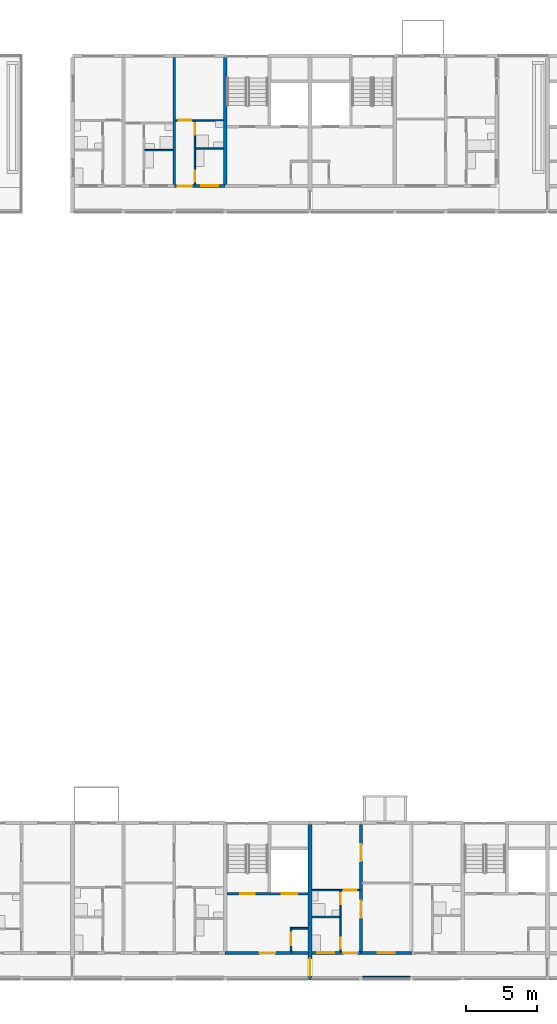
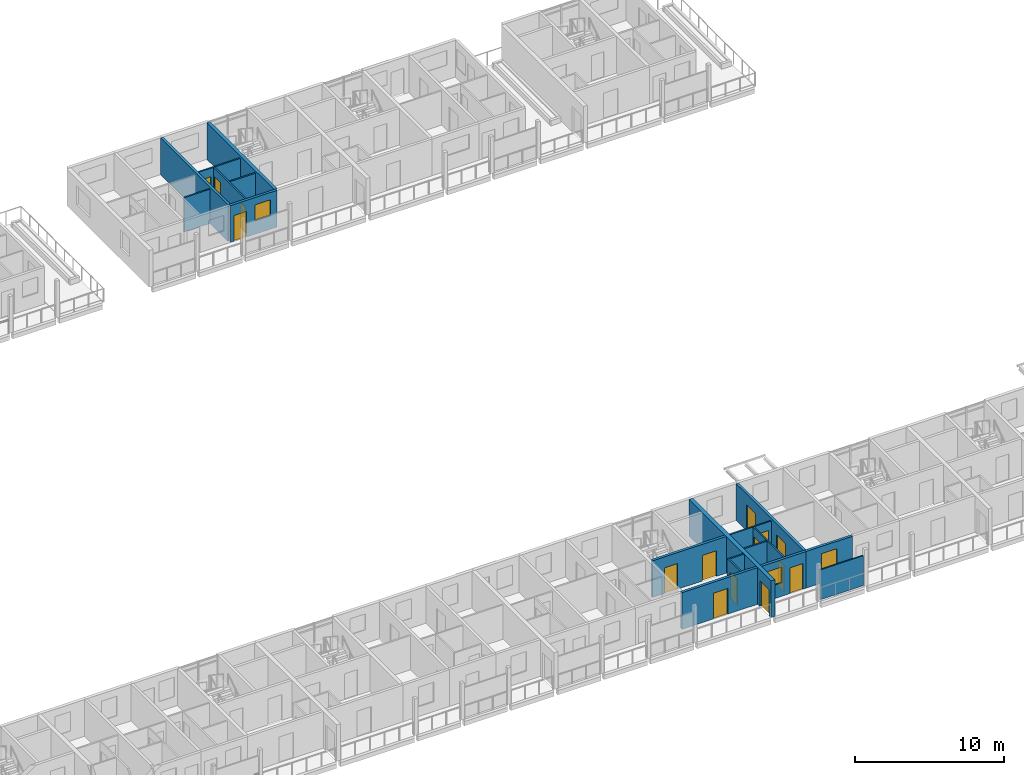
# One storey, part 37 of 94: 19 walls, 15 doors, 3 windows, 18 openings.
"""IFC4 building model written with IfcOpenShell, lengths in metres."""

from ifc_helpers import new_model, si_unit, direction, frame, frame_2d, origin, place, context, subcontext, project, spatial, rectangle, extrude, material, layer, layer_set, type_object, element, fill, save


model = new_model("IFC4")

# Units and contexts
model_context = context("Model", 3, precision=1e-05, world=origin(), true_north=direction((0.0, 1.0)))
body_context = subcontext(model_context, "Body", "Model", "MODEL_VIEW")
ifc_project = project(units=[si_unit("LENGTHUNIT", "METRE"), si_unit("AREAUNIT", "SQUARE_METRE"), si_unit("VOLUMEUNIT", "CUBIC_METRE"), si_unit("PLANEANGLEUNIT", "RADIAN"), si_unit("MASSUNIT", "GRAM", prefix="KILO")], contexts=[model_context])

# Site, building, storey
site_placement = place(None, origin())
site = spatial("IfcSite", under=ifc_project, at=site_placement, CompositionType="ELEMENT")
building_placement = place(site_placement, origin())
building = spatial("IfcBuilding", under=site, at=building_placement, Name="Ridgestep Commons", CompositionType="ELEMENT")
storey_placement = place(building_placement, frame((0.0, 0.0, 21.0)))
storey = spatial("IfcBuildingStorey", under=building, at=storey_placement, Name="L07", CompositionType="ELEMENT", Elevation=21.0)

# Wall
ifc_material_1 = material(Name="Concrete C30/37", Category="concrete")
ifc_layer_1 = layer(ifc_material_1, 0.25)
ifc_layer_set_1 = layer_set([ifc_layer_1], Name="Core cross wall 250")
wall_type_1 = type_object("IfcWallType", Name="Core cross wall 250", PredefinedType="SHEAR", material=ifc_layer_set_1)
wall_1_placement = place(storey_placement, frame((73.199951171875, 68.0, 0.0), z_axis=(0.0, 0.0, 1.0), x_axis=(0.0, 1.0, 0.0)))
element("IfcWall", 1, at=wall_1_placement, inside=storey, type_object=wall_type_1, Name="Cross wall B-07-0732", PredefinedType="SHEAR", context=body_context, shape_type="SweptSolid", body=[
    extrude(rectangle(XDim=9.0, YDim=0.25, at=frame_2d((4.5, 0.0))), origin(), (0.0, 0.0, 1.0), 3.0),
])

# Wall, opening, door
ifc_material_2 = material(Name="Concrete C30/37", Category="concrete")
ifc_layer_2 = layer(ifc_material_2, 0.199951171875)
ifc_layer_set_2 = layer_set([ifc_layer_2], Name="Core south wall 200")
wall_type_2 = type_object("IfcWallType", Name="Core south wall 200", PredefinedType="SHEAR", material=ifc_layer_set_2)
wall_2_placement = place(storey_placement, frame((73.199951171875, 13.64990234375, 0.0), z_axis=(0.0, 0.0, 1.0), x_axis=(1.0, 0.0, 0.0)))
wall_2 = element("IfcWall", 2, at=wall_2_placement, inside=storey, type_object=wall_type_2, Name="Core south wall A4C L07", PredefinedType="SHEAR", context=body_context, shape_type="SweptSolid", body=[
    extrude(rectangle(XDim=5.85009765625, YDim=0.199951171875, at=frame_2d((2.925048828125, 0.0))), origin(), (0.0, 0.0, 1.0), 3.0),
])
opening_1_placement = place(wall_2_placement, frame((2.4375, 0.0, 0.0)))
opening_1 = element("IfcOpeningElement", 3, at=opening_1_placement, cuts=wall_2, Name="Opening A4C/07/1", PredefinedType="OPENING", context=body_context, shape_type="SweptSolid", body=[
    extrude(rectangle(XDim=1.10009765625, YDim=2.10009765625, at=frame_2d((0.550048828125, 1.050048828125))), frame((0.0, 0.10986328125, 0.0), z_axis=(0.0, -1.0, 0.0), x_axis=(1.0, 0.0, 0.0)), (0.0, 0.0, 1.0), 0.219970703125),
])
ifc_material_3 = material(Name="Steel fire door", Category="steel")
door_type_1 = type_object("IfcDoorType", Name="Lobby door 1100 x 2100 FD60", OperationType="NOTDEFINED", PredefinedType="DOOR", material=ifc_material_3)
door_1_placement = place(opening_1_placement, origin())
door_1 = element("IfcDoor", 4, at=door_1_placement, inside=storey, type_object=door_type_1, Name="Lobby door A4C/07/1", OperationType="SINGLE_SWING_LEFT", OverallHeight=2.10009765625, OverallWidth=1.10009765625, PredefinedType="DOOR", context=body_context, shape_type="SweptSolid", body=[
    extrude(rectangle(XDim=1.10009765625, YDim=2.10009765625, at=frame_2d((0.550048828125, 1.050048828125))), frame((0.0, 0.02490234375, 0.0), z_axis=(0.0, -1.0, 0.0), x_axis=(1.0, 0.0, 0.0)), (0.0, 0.0, 1.0), 0.050048828125),
])
fill(opening_1, door_1)

ifc_material_4 = material(Name="Concrete C30/37", Category="concrete")
ifc_layer_3 = layer(ifc_material_4, 0.1201171875)
ifc_layer_set_3 = layer_set([ifc_layer_3], Name="Core wall 120")
wall_type_3 = type_object("IfcWallType", Name="Core wall 120", PredefinedType="SHEAR", material=ifc_layer_set_3)
wall_3_placement = place(storey_placement, frame((77.860107421875, 13.75, 0.0), z_axis=(0.0, 0.0, 1.0), x_axis=(0.0, 1.0, 0.0)))
wall_3 = element("IfcWall", 5, at=wall_3_placement, inside=storey, type_object=wall_type_3, Name="Core riser w wall A4C L07", PredefinedType="SHEAR", context=body_context, shape_type="SweptSolid", body=[
    extrude(rectangle(XDim=1.719970703125, YDim=0.1201171875, at=frame_2d((0.85986328125, 0.0))), origin(), (0.0, 0.0, 1.0), 3.0),
])
opening_2_placement = place(wall_3_placement, frame((0.449951171875, 0.0, 0.0)))
opening_2 = element("IfcOpeningElement", 6, at=opening_2_placement, cuts=wall_3, Name="Opening A4C/07/4", PredefinedType="OPENING", context=body_context, shape_type="SweptSolid", body=[
    extrude(rectangle(XDim=0.89990234375, YDim=2.10009765625, at=frame_2d((0.449951171875, 1.050048828125))), frame((0.0, 0.070068359375, 0.0), z_axis=(0.0, -1.0, 0.0), x_axis=(1.0, 0.0, 0.0)), (0.0, 0.0, 1.0), 0.14013671875),
])
ifc_material_5 = material(Name="Steel fire door", Category="steel")
door_type_2 = type_object("IfcDoorType", Name="Riser door 900 x 2100 FD60", OperationType="NOTDEFINED", PredefinedType="DOOR", material=ifc_material_5)
door_2_placement = place(opening_2_placement, origin())
door_2 = element("IfcDoor", 7, at=door_2_placement, inside=storey, type_object=door_type_2, Name="Riser door A4C/07/4", OperationType="SINGLE_SWING_LEFT", OverallHeight=2.10009765625, OverallWidth=0.89990234375, PredefinedType="DOOR", context=body_context, shape_type="SweptSolid", body=[
    extrude(rectangle(XDim=0.89990234375, YDim=2.10009765625, at=frame_2d((0.449951171875, 1.050048828125))), frame((0.0, 0.02490234375, 0.0), z_axis=(0.0, -1.0, 0.0), x_axis=(1.0, 0.0, 0.0)), (0.0, 0.0, 1.0), 0.050048828125),
])
fill(opening_2, door_2)

# Wall
wall_4_placement = place(storey_placement, frame((77.919921875, 15.409912109375, 0.0), z_axis=(0.0, 0.0, 1.0), x_axis=(1.0, 0.0, 0.0)))
element("IfcWall", 8, at=wall_4_placement, inside=storey, type_object=wall_type_3, Name="Core riser n wall A4C L07", PredefinedType="SHEAR", context=body_context, shape_type="SweptSolid", body=[
    extrude(rectangle(XDim=1.130126953125, YDim=0.1201171875, at=frame_2d((0.56494140625, 0.0))), origin(), (0.0, 0.0, 1.0), 3.0),
])

# Wall, openings, doors
ifc_material_6 = material(Name="Concrete C30/37", Category="concrete")
ifc_layer_4 = layer(ifc_material_6, 0.199951171875)
ifc_layer_set_4 = layer_set([ifc_layer_4], Name="Core wall 200")
wall_type_4 = type_object("IfcWallType", Name="Core wall 200", PredefinedType="SHEAR", material=ifc_layer_set_4)
wall_5_placement = place(storey_placement, frame((73.324951171875, 17.85009765625, 0.0), z_axis=(0.0, 0.0, 1.0), x_axis=(1.0, 0.0, 0.0)))
wall_5 = element("IfcWall", 9, at=wall_5_placement, inside=storey, type_object=wall_type_4, Name="Core lobby wall A4C L07", PredefinedType="SHEAR", context=body_context, shape_type="SweptSolid", body=[
    extrude(rectangle(XDim=5.72509765625, YDim=0.199951171875, at=frame_2d((2.862548828125, 0.0))), origin(), (0.0, 0.0, 1.0), 3.0),
])
opening_3_placement = place(wall_5_placement, frame((0.949951171875, 0.0, 0.0)))
opening_3 = element("IfcOpeningElement", 10, at=opening_3_placement, cuts=wall_5, Name="Opening A4C/07/2", PredefinedType="OPENING", context=body_context, shape_type="SweptSolid", body=[
    extrude(rectangle(XDim=1.0, YDim=2.10009765625, at=frame_2d((0.5, 1.050048828125))), frame((0.0, 0.10986328125, 0.0), z_axis=(0.0, -1.0, 0.0), x_axis=(1.0, 0.0, 0.0)), (0.0, 0.0, 1.0), 0.219970703125),
])
opening_4_placement = place(wall_5_placement, frame((3.862548828125, 0.0, 0.0)))
opening_4 = element("IfcOpeningElement", 11, at=opening_4_placement, cuts=wall_5, Name="Opening A4C/07/3", PredefinedType="OPENING", context=body_context, shape_type="SweptSolid", body=[
    extrude(rectangle(XDim=1.10009765625, YDim=2.10009765625, at=frame_2d((0.550048828125, 1.050048828125))), frame((0.0, 0.10986328125, 0.0), z_axis=(0.0, -1.0, 0.0), x_axis=(1.0, 0.0, 0.0)), (0.0, 0.0, 1.0), 0.219970703125),
])
ifc_material_7 = material(Name="Stainless steel", Category="steel")
door_type_3 = type_object("IfcDoorType", Name="Lift landing door 1100 x 2100 FD60", OperationType="DOUBLE_DOOR_SLIDING", PredefinedType="DOOR", material=ifc_material_7)
door_3_placement = place(opening_4_placement, origin())
door_3 = element("IfcDoor", 12, at=door_3_placement, inside=storey, type_object=door_type_3, Name="Landing door LD A4C L07", OperationType="DOUBLE_DOOR_SLIDING", OverallHeight=2.10009765625, OverallWidth=1.10009765625, PredefinedType="DOOR", context=body_context, shape_type="SweptSolid", body=[
    extrude(rectangle(XDim=1.10009765625, YDim=2.10009765625, at=frame_2d((0.550048828125, 1.050048828125))), frame((0.0, 0.02490234375, 0.0), z_axis=(0.0, -1.0, 0.0), x_axis=(1.0, 0.0, 0.0)), (0.0, 0.0, 1.0), 0.050048828125),
])
fill(opening_4, door_3)
ifc_material_8 = material(Name="Steel fire door", Category="steel")
door_type_4 = type_object("IfcDoorType", Name="Stair door 1000 x 2100 FD60", OperationType="NOTDEFINED", PredefinedType="DOOR", material=ifc_material_8)
door_4_placement = place(opening_3_placement, origin())
door_4 = element("IfcDoor", 13, at=door_4_placement, inside=storey, type_object=door_type_4, Name="Stair door A4C/07/2", OperationType="SINGLE_SWING_RIGHT", OverallHeight=2.10009765625, OverallWidth=1.0, PredefinedType="DOOR", context=body_context, shape_type="SweptSolid", body=[
    extrude(rectangle(XDim=1.0, YDim=2.10009765625, at=frame_2d((0.5, 1.050048828125))), frame((0.0, 0.02490234375, 0.0), z_axis=(0.0, -1.0, 0.0), x_axis=(1.0, 0.0, 0.0)), (0.0, 0.0, 1.0), 0.050048828125),
])
fill(opening_3, door_4)

ifc_material_9 = material(Name="Precast concrete C40/50", Category="concrete")
ifc_layer_5 = layer(ifc_material_9, 0.199951171875)
ifc_layer_set_5 = layer_set([ifc_layer_5], Name="Cross wall 200")
wall_type_5 = type_object("IfcWallType", Name="Cross wall 200", PredefinedType="SHEAR", material=ifc_layer_set_5)
wall_6_placement = place(storey_placement, frame((82.800048828125, 13.75, 0.0), z_axis=(0.0, 0.0, 1.0), x_axis=(0.0, 1.0, 0.0)))
wall_6 = element("IfcWall", 14, at=wall_6_placement, inside=storey, type_object=wall_type_5, Name="Cross wall A-07-0828", PredefinedType="SHEAR", context=body_context, shape_type="SweptSolid", body=[
    extrude(rectangle(XDim=9.0, YDim=0.199951171875, at=frame_2d((4.5, 0.0))), origin(), (0.0, 0.0, 1.0), 3.0),
])
opening_5_placement = place(wall_6_placement, frame((2.39990234375, 0.0, 0.0)))
opening_5 = element("IfcOpeningElement", 15, at=opening_5_placement, cuts=wall_6, Name="Opening A5-07a/5", PredefinedType="OPENING", context=body_context, shape_type="SweptSolid", body=[
    extrude(rectangle(XDim=1.199951171875, YDim=2.10009765625, at=frame_2d((0.60009765625, 1.050048828125))), frame((0.0, 0.10986328125, 0.0), z_axis=(0.0, -1.0, 0.0), x_axis=(1.0, 0.0, 0.0)), (0.0, 0.0, 1.0), 0.219970703125),
])
opening_6_placement = place(wall_6_placement, frame((6.39990234375, 0.0, 0.0)))
opening_6 = element("IfcOpeningElement", 16, at=opening_6_placement, cuts=wall_6, Name="Opening A5-07a/6", PredefinedType="OPENING", context=body_context, shape_type="SweptSolid", body=[
    extrude(rectangle(XDim=1.199951171875, YDim=2.10009765625, at=frame_2d((0.60009765625, 1.050048828125))), frame((0.0, 0.10986328125, 0.0), z_axis=(0.0, -1.0, 0.0), x_axis=(1.0, 0.0, 0.0)), (0.0, 0.0, 1.0), 0.219970703125),
])
ifc_material_10 = material(Name="Timber door leaf", Category="wood")
door_type_5 = type_object("IfcDoorType", Name="Double door 1200 x 2100", OperationType="DOUBLE_DOOR_SINGLE_SWING", PredefinedType="DOOR", material=ifc_material_10)
door_5_placement = place(opening_5_placement, origin())
door_5 = element("IfcDoor", 17, at=door_5_placement, inside=storey, type_object=door_type_5, Name="Double door A5-07a/5", OperationType="DOUBLE_DOOR_SINGLE_SWING", OverallHeight=2.10009765625, OverallWidth=1.199951171875, PredefinedType="DOOR", context=body_context, shape_type="SweptSolid", body=[
    extrude(rectangle(XDim=1.199951171875, YDim=2.10009765625, at=frame_2d((0.60009765625, 1.050048828125))), frame((0.0, 0.02490234375, 0.0), z_axis=(0.0, -1.0, 0.0), x_axis=(1.0, 0.0, 0.0)), (0.0, 0.0, 1.0), 0.050048828125),
])
fill(opening_5, door_5)
door_6_placement = place(opening_6_placement, origin())
door_6 = element("IfcDoor", 18, at=door_6_placement, inside=storey, type_object=door_type_5, Name="Double door A5-07a/6", OperationType="DOUBLE_DOOR_SINGLE_SWING", OverallHeight=2.10009765625, OverallWidth=1.199951171875, PredefinedType="DOOR", context=body_context, shape_type="SweptSolid", body=[
    extrude(rectangle(XDim=1.199951171875, YDim=2.10009765625, at=frame_2d((0.60009765625, 1.050048828125))), frame((0.0, 0.02490234375, 0.0), z_axis=(0.0, -1.0, 0.0), x_axis=(1.0, 0.0, 0.0)), (0.0, 0.0, 1.0), 0.050048828125),
])
fill(opening_6, door_6)

# Wall
wall_7_placement = place(storey_placement, frame((69.60009765625, 68.0, 0.0), z_axis=(0.0, 0.0, 1.0), x_axis=(0.0, 1.0, 0.0)))
element("IfcWall", 19, at=wall_7_placement, inside=storey, type_object=wall_type_5, Name="Cross wall B-07-0696", PredefinedType="SHEAR", context=body_context, shape_type="SweptSolid", body=[
    extrude(rectangle(XDim=9.0, YDim=0.199951171875, at=frame_2d((4.5, 0.0))), origin(), (0.0, 0.0, 1.0), 3.0),
])

# Wall, opening, door
ifc_material_11 = material(Name="Precast concrete C40/50", Category="concrete")
ifc_layer_6 = layer(ifc_material_11, 0.300048828125)
ifc_layer_set_6 = layer_set([ifc_layer_6], Name="Division wall 300")
wall_type_6 = type_object("IfcWallType", Name="Division wall 300", PredefinedType="SHEAR", material=ifc_layer_set_6)
wall_8_placement = place(storey_placement, frame((79.199951171875, 11.75, 0.0), z_axis=(0.0, 0.0, 1.0), x_axis=(0.0, 1.0, 0.0)))
wall_8 = element("IfcWall", 20, at=wall_8_placement, inside=storey, type_object=wall_type_6, Name="Cross wall A-07-0792", PredefinedType="SHEAR", context=body_context, shape_type="SweptSolid", body=[
    extrude(rectangle(XDim=11.0, YDim=0.300048828125, at=frame_2d((5.5, 0.0))), origin(), (0.0, 0.0, 1.0), 3.0),
])
opening_7_placement = place(wall_8_placement, frame((0.300048828125, 0.0, 0.0)))
opening_7 = element("IfcOpeningElement", 21, at=opening_7_placement, cuts=wall_8, Name="Opening A/07/G0792", PredefinedType="OPENING", context=body_context, shape_type="SweptSolid", body=[
    extrude(rectangle(XDim=1.199951171875, YDim=2.10009765625, at=frame_2d((0.60009765625, 1.050048828125))), frame((0.0, 0.159912109375, 0.0), z_axis=(0.0, -1.0, 0.0), x_axis=(1.0, 0.0, 0.0)), (0.0, 0.0, 1.0), 0.320068359375),
])
ifc_material_12 = material(Name="Steel fire door", Category="steel")
door_type_6 = type_object("IfcDoorType", Name="Division fire door 1200 x 2100 EI 240", OperationType="DOUBLE_DOOR_SINGLE_SWING", PredefinedType="DOOR", material=ifc_material_12)
door_7_placement = place(opening_7_placement, origin())
door_7 = element("IfcDoor", 22, at=door_7_placement, inside=storey, type_object=door_type_6, Name="Division fire door A/07/G0792", OperationType="DOUBLE_DOOR_SINGLE_SWING", OverallHeight=2.10009765625, OverallWidth=1.199951171875, PredefinedType="DOOR", context=body_context, shape_type="SweptSolid", body=[
    extrude(rectangle(XDim=1.199951171875, YDim=2.10009765625, at=frame_2d((0.60009765625, 1.050048828125))), frame((0.0, 0.02490234375, 0.0), z_axis=(0.0, -1.0, 0.0), x_axis=(1.0, 0.0, 0.0)), (0.0, 0.0, 1.0), 0.050048828125),
])
fill(opening_7, door_7)

# Wall
ifc_material_13 = material(Name="Common brick 110 mm", Category="masonry")
ifc_layer_7 = layer(ifc_material_13, 0.110107421875)
ifc_layer_set_7 = layer_set([ifc_layer_7], Name="Partition 110")
wall_type_7 = type_object("IfcWallType", Name="Partition 110", PredefinedType="PARTITIONING", material=ifc_layer_set_7)
wall_9_placement = place(storey_placement, frame((79.35009765625, 16.205078125, 0.0), z_axis=(0.0, 0.0, 1.0), x_axis=(1.0, 0.0, 0.0)))
element("IfcWall", 23, at=wall_9_placement, inside=storey, type_object=wall_type_7, Name="Partition A5-07a", PredefinedType="PARTITIONING", context=body_context, shape_type="SweptSolid", body=[
    extrude(rectangle(XDim=1.93994140625, YDim=0.110107421875, at=frame_2d((0.969970703125, 0.0))), origin(), (0.0, 0.0, 1.0), 2.800048828125),
])

# Wall, openings, doors
wall_10_placement = place(storey_placement, frame((81.344970703125, 13.75, 0.0), z_axis=(0.0, 0.0, 1.0), x_axis=(0.0, 1.0, 0.0)))
wall_10 = element("IfcWall", 24, at=wall_10_placement, inside=storey, type_object=wall_type_7, Name="Partition A5-07a", PredefinedType="PARTITIONING", context=body_context, shape_type="SweptSolid", body=[
    extrude(rectangle(XDim=4.300048828125, YDim=0.110107421875, at=frame_2d((2.14990234375, 0.0))), origin(), (0.0, 0.0, 1.0), 2.800048828125),
])
opening_8_placement = place(wall_10_placement, frame((0.199951171875, 0.0, 0.0)))
opening_8 = element("IfcOpeningElement", 25, at=opening_8_placement, cuts=wall_10, Name="Opening A5-07a/2", PredefinedType="OPENING", context=body_context, shape_type="SweptSolid", body=[
    extrude(rectangle(XDim=0.800048828125, YDim=2.10009765625, at=frame_2d((0.39990234375, 1.050048828125))), frame((0.0, 0.06494140625, 0.0), z_axis=(0.0, -1.0, 0.0), x_axis=(1.0, 0.0, 0.0)), (0.0, 0.0, 1.0), 0.130126953125),
])
opening_9_placement = place(wall_10_placement, frame((3.35009765625, 0.0, 0.0)))
opening_9 = element("IfcOpeningElement", 26, at=opening_9_placement, cuts=wall_10, Name="Opening A5-07a/3", PredefinedType="OPENING", context=body_context, shape_type="SweptSolid", body=[
    extrude(rectangle(XDim=0.800048828125, YDim=2.10009765625, at=frame_2d((0.39990234375, 1.050048828125))), frame((0.0, 0.06494140625, 0.0), z_axis=(0.0, -1.0, 0.0), x_axis=(1.0, 0.0, 0.0)), (0.0, 0.0, 1.0), 0.130126953125),
])
ifc_material_14 = material(Name="Timber door leaf", Category="wood")
door_type_7 = type_object("IfcDoorType", Name="Internal door 800 x 2100", OperationType="NOTDEFINED", PredefinedType="DOOR", material=ifc_material_14)
door_8_placement = place(opening_8_placement, origin())
door_8 = element("IfcDoor", 27, at=door_8_placement, inside=storey, type_object=door_type_7, Name="Internal door A5-07a/2", OperationType="SINGLE_SWING_LEFT", OverallHeight=2.10009765625, OverallWidth=0.800048828125, PredefinedType="DOOR", context=body_context, shape_type="SweptSolid", body=[
    extrude(rectangle(XDim=0.800048828125, YDim=2.10009765625, at=frame_2d((0.39990234375, 1.050048828125))), frame((0.0, 0.02490234375, 0.0), z_axis=(0.0, -1.0, 0.0), x_axis=(1.0, 0.0, 0.0)), (0.0, 0.0, 1.0), 0.050048828125),
])
fill(opening_8, door_8)
door_9_placement = place(opening_9_placement, origin())
door_9 = element("IfcDoor", 28, at=door_9_placement, inside=storey, type_object=door_type_7, Name="Internal door A5-07a/3", OperationType="SINGLE_SWING_RIGHT", OverallHeight=2.10009765625, OverallWidth=0.800048828125, PredefinedType="DOOR", context=body_context, shape_type="SweptSolid", body=[
    extrude(rectangle(XDim=0.800048828125, YDim=2.10009765625, at=frame_2d((0.39990234375, 1.050048828125))), frame((0.0, 0.02490234375, 0.0), z_axis=(0.0, -1.0, 0.0), x_axis=(1.0, 0.0, 0.0)), (0.0, 0.0, 1.0), 0.050048828125),
])
fill(opening_9, door_9)

# Wall, opening, door
wall_11_placement = place(storey_placement, frame((79.35009765625, 18.10498046875, 0.0), z_axis=(0.0, 0.0, 1.0), x_axis=(1.0, 0.0, 0.0)))
wall_11 = element("IfcWall", 29, at=wall_11_placement, inside=storey, type_object=wall_type_7, Name="Partition A5-07a", PredefinedType="PARTITIONING", context=body_context, shape_type="SweptSolid", body=[
    extrude(rectangle(XDim=3.349853515625, YDim=0.110107421875, at=frame_2d((1.6748046875, 0.0))), origin(), (0.0, 0.0, 1.0), 2.800048828125),
])
opening_10_placement = place(wall_11_placement, frame((2.25, 0.0, 0.0)))
opening_10 = element("IfcOpeningElement", 30, at=opening_10_placement, cuts=wall_11, Name="Opening A5-07a/4", PredefinedType="OPENING", context=body_context, shape_type="SweptSolid", body=[
    extrude(rectangle(XDim=0.89990234375, YDim=2.10009765625, at=frame_2d((0.449951171875, 1.050048828125))), frame((0.0, 0.06494140625, 0.0), z_axis=(0.0, -1.0, 0.0), x_axis=(1.0, 0.0, 0.0)), (0.0, 0.0, 1.0), 0.130126953125),
])
ifc_material_15 = material(Name="Timber door leaf", Category="wood")
door_type_8 = type_object("IfcDoorType", Name="Internal door 900 x 2100", OperationType="NOTDEFINED", PredefinedType="DOOR", material=ifc_material_15)
door_10_placement = place(opening_10_placement, origin())
door_10 = element("IfcDoor", 31, at=door_10_placement, inside=storey, type_object=door_type_8, Name="Internal door A5-07a/4", OperationType="SINGLE_SWING_RIGHT", OverallHeight=2.10009765625, OverallWidth=0.89990234375, PredefinedType="DOOR", context=body_context, shape_type="SweptSolid", body=[
    extrude(rectangle(XDim=0.89990234375, YDim=2.10009765625, at=frame_2d((0.449951171875, 1.050048828125))), frame((0.0, 0.02490234375, 0.0), z_axis=(0.0, -1.0, 0.0), x_axis=(1.0, 0.0, 0.0)), (0.0, 0.0, 1.0), 0.050048828125),
])
fill(opening_10, door_10)

# Wall
wall_12_placement = place(storey_placement, frame((67.510009765625, 70.455078125, 0.0), z_axis=(0.0, 0.0, 1.0), x_axis=(1.0, 0.0, 0.0)))
element("IfcWall", 32, at=wall_12_placement, inside=storey, type_object=wall_type_7, Name="Partition B4-07b", PredefinedType="PARTITIONING", context=body_context, shape_type="SweptSolid", body=[
    extrude(rectangle(XDim=1.989990234375, YDim=0.110107421875, at=frame_2d((0.9951171875, 0.0))), origin(), (0.0, 0.0, 1.0), 2.800048828125),
])

# Wall, openings, doors
wall_13_placement = place(storey_placement, frame((71.054931640625, 68.0, 0.0), z_axis=(0.0, 0.0, 1.0), x_axis=(0.0, 1.0, 0.0)))
wall_13 = element("IfcWall", 33, at=wall_13_placement, inside=storey, type_object=wall_type_7, Name="Partition B4-07c", PredefinedType="PARTITIONING", context=body_context, shape_type="SweptSolid", body=[
    extrude(rectangle(XDim=4.5, YDim=0.110107421875, at=frame_2d((2.25, 0.0))), origin(), (0.0, 0.0, 1.0), 2.800048828125),
])
opening_11_placement = place(wall_13_placement, frame((0.199951171875, 0.0, 0.0)))
opening_11 = element("IfcOpeningElement", 34, at=opening_11_placement, cuts=wall_13, Name="Opening B4-07c/2", PredefinedType="OPENING", context=body_context, shape_type="SweptSolid", body=[
    extrude(rectangle(XDim=0.800048828125, YDim=2.10009765625, at=frame_2d((0.39990234375, 1.050048828125))), frame((0.0, 0.06494140625, 0.0), z_axis=(0.0, -1.0, 0.0), x_axis=(1.0, 0.0, 0.0)), (0.0, 0.0, 1.0), 0.130126953125),
])
opening_12_placement = place(wall_13_placement, frame((3.550048828125, 0.0, 0.0)))
opening_12 = element("IfcOpeningElement", 35, at=opening_12_placement, cuts=wall_13, Name="Opening B4-07c/3", PredefinedType="OPENING", context=body_context, shape_type="SweptSolid", body=[
    extrude(rectangle(XDim=0.800048828125, YDim=2.10009765625, at=frame_2d((0.39990234375, 1.050048828125))), frame((0.0, 0.06494140625, 0.0), z_axis=(0.0, -1.0, 0.0), x_axis=(1.0, 0.0, 0.0)), (0.0, 0.0, 1.0), 0.130126953125),
])
door_11_placement = place(opening_11_placement, origin())
door_11 = element("IfcDoor", 36, at=door_11_placement, inside=storey, type_object=door_type_7, Name="Internal door B4-07c/2", OperationType="SINGLE_SWING_RIGHT", OverallHeight=2.10009765625, OverallWidth=0.800048828125, PredefinedType="DOOR", context=body_context, shape_type="SweptSolid", body=[
    extrude(rectangle(XDim=0.800048828125, YDim=2.10009765625, at=frame_2d((0.39990234375, 1.050048828125))), frame((0.0, 0.02490234375, 0.0), z_axis=(0.0, -1.0, 0.0), x_axis=(1.0, 0.0, 0.0)), (0.0, 0.0, 1.0), 0.050048828125),
])
fill(opening_11, door_11)
door_12_placement = place(opening_12_placement, origin())
door_12 = element("IfcDoor", 37, at=door_12_placement, inside=storey, type_object=door_type_7, Name="Internal door B4-07c/3", OperationType="SINGLE_SWING_LEFT", OverallHeight=2.10009765625, OverallWidth=0.800048828125, PredefinedType="DOOR", context=body_context, shape_type="SweptSolid", body=[
    extrude(rectangle(XDim=0.800048828125, YDim=2.10009765625, at=frame_2d((0.39990234375, 1.050048828125))), frame((0.0, 0.02490234375, 0.0), z_axis=(0.0, -1.0, 0.0), x_axis=(1.0, 0.0, 0.0)), (0.0, 0.0, 1.0), 0.050048828125),
])
fill(opening_12, door_12)

# Wall
wall_14_placement = place(storey_placement, frame((71.110107421875, 70.554931640625, 0.0), z_axis=(0.0, 0.0, 1.0), x_axis=(1.0, 0.0, 0.0)))
element("IfcWall", 38, at=wall_14_placement, inside=storey, type_object=wall_type_7, Name="Partition B4-07c", PredefinedType="PARTITIONING", context=body_context, shape_type="SweptSolid", body=[
    extrude(rectangle(XDim=1.96484375, YDim=0.110107421875, at=frame_2d((0.982421875, 0.0))), origin(), (0.0, 0.0, 1.0), 2.800048828125),
])

# Wall, opening, door
wall_15_placement = place(storey_placement, frame((69.699951171875, 72.554931640625, 0.0), z_axis=(0.0, 0.0, 1.0), x_axis=(1.0, 0.0, 0.0)))
wall_15 = element("IfcWall", 39, at=wall_15_placement, inside=storey, type_object=wall_type_7, Name="Partition B4-07c", PredefinedType="PARTITIONING", context=body_context, shape_type="SweptSolid", body=[
    extrude(rectangle(XDim=3.375, YDim=0.110107421875, at=frame_2d((1.6875, 0.0))), origin(), (0.0, 0.0, 1.0), 2.800048828125),
])
opening_13_placement = place(wall_15_placement, frame((0.199951171875, 0.0, 0.0)))
opening_13 = element("IfcOpeningElement", 40, at=opening_13_placement, cuts=wall_15, Name="Opening B4-07c/4", PredefinedType="OPENING", context=body_context, shape_type="SweptSolid", body=[
    extrude(rectangle(XDim=0.89990234375, YDim=2.10009765625, at=frame_2d((0.449951171875, 1.050048828125))), frame((0.0, 0.06494140625, 0.0), z_axis=(0.0, -1.0, 0.0), x_axis=(1.0, 0.0, 0.0)), (0.0, 0.0, 1.0), 0.130126953125),
])
door_13_placement = place(opening_13_placement, origin())
door_13 = element("IfcDoor", 41, at=door_13_placement, inside=storey, type_object=door_type_8, Name="Internal door B4-07c/4", OperationType="SINGLE_SWING_LEFT", OverallHeight=2.10009765625, OverallWidth=0.89990234375, PredefinedType="DOOR", context=body_context, shape_type="SweptSolid", body=[
    extrude(rectangle(XDim=0.89990234375, YDim=2.10009765625, at=frame_2d((0.449951171875, 1.050048828125))), frame((0.0, 0.02490234375, 0.0), z_axis=(0.0, -1.0, 0.0), x_axis=(1.0, 0.0, 0.0)), (0.0, 0.0, 1.0), 0.050048828125),
])
fill(opening_13, door_13)

# Wall
ifc_material_16 = material(Name="Precast concrete C30/37", Category="concrete")
ifc_layer_8 = layer(ifc_material_16, 0.10009765625)
ifc_layer_set_8 = layer_set([ifc_layer_8], Name="Perforated gallery screen 3350 x 2450 x 100")
wall_type_8 = type_object("IfcWallType", Name="Perforated gallery screen 3350 x 2450 x 100", PredefinedType="SOLIDWALL", material=ifc_layer_set_8)
wall_16_placement = place(storey_placement, frame((82.925048828125, 11.949951171875, 0.0), z_axis=(0.0, 0.0, 1.0), x_axis=(1.0, 0.0, 0.0)))
element("IfcWall", 42, at=wall_16_placement, inside=storey, type_object=wall_type_8, Name="Gallery screen A5T2 07", PredefinedType="SOLIDWALL", context=body_context, shape_type="SweptSolid", body=[
    extrude(rectangle(XDim=3.349853515625, YDim=0.10009765625, at=frame_2d((1.6748046875, 0.0))), origin(), (0.0, 0.0, 1.0), 2.449951171875),
])

# Wall, openings, door, window
ifc_material_17 = material(Name="Precast concrete C40/50", Category="concrete")
ifc_layer_9 = layer(ifc_material_17, 0.199951171875)
ifc_layer_set_9 = layer_set([ifc_layer_9], Name="South facade panel 200")
wall_type_9 = type_object("IfcWallType", Name="South facade panel 200", PredefinedType="SOLIDWALL", material=ifc_layer_set_9)
wall_17_placement = place(storey_placement, frame((79.35009765625, 13.64990234375, 0.0), z_axis=(0.0, 0.0, 1.0), x_axis=(1.0, 0.0, 0.0)))
wall_17 = element("IfcWall", 43, at=wall_17_placement, inside=storey, type_object=wall_type_9, Name="South panel A5T1 L07", PredefinedType="SOLIDWALL", context=body_context, shape_type="SweptSolid", body=[
    extrude(rectangle(XDim=3.449951171875, YDim=0.199951171875, at=frame_2d((1.72509765625, 0.0))), origin(), (0.0, 0.0, 1.0), 3.0),
])
opening_14_placement = place(wall_17_placement, frame((0.3701171875, 0.0, 1.10009765625)))
opening_14 = element("IfcOpeningElement", 44, at=opening_14_placement, cuts=wall_17, Name="Opening W08", PredefinedType="OPENING", context=body_context, shape_type="SweptSolid", body=[
    extrude(rectangle(XDim=1.199951171875, YDim=1.300048828125, at=frame_2d((0.60009765625, 0.64990234375))), frame((0.0, 0.10986328125, 0.0), z_axis=(0.0, -1.0, 0.0), x_axis=(1.0, 0.0, 0.0)), (0.0, 0.0, 1.0), 0.219970703125),
])
opening_15_placement = place(wall_17_placement, frame((2.199951171875, 0.0, 0.0)))
opening_15 = element("IfcOpeningElement", 45, at=opening_15_placement, cuts=wall_17, Name="Opening A5-07a/1", PredefinedType="OPENING", context=body_context, shape_type="SweptSolid", body=[
    extrude(rectangle(XDim=1.0, YDim=2.10009765625, at=frame_2d((0.5, 1.050048828125))), frame((0.0, 0.10986328125, 0.0), z_axis=(0.0, -1.0, 0.0), x_axis=(1.0, 0.0, 0.0)), (0.0, 0.0, 1.0), 0.219970703125),
])
ifc_material_18 = material(Name="Timber door leaf", Category="wood")
door_type_9 = type_object("IfcDoorType", Name="Flat entrance door 1000 x 2100 FD30S", OperationType="NOTDEFINED", PredefinedType="DOOR", material=ifc_material_18)
door_14_placement = place(opening_15_placement, origin())
door_14 = element("IfcDoor", 46, at=door_14_placement, inside=storey, type_object=door_type_9, Name="Flat entrance door A5-07a/1", OperationType="SINGLE_SWING_RIGHT", OverallHeight=2.10009765625, OverallWidth=1.0, PredefinedType="DOOR", context=body_context, shape_type="SweptSolid", body=[
    extrude(rectangle(XDim=1.0, YDim=2.10009765625, at=frame_2d((0.5, 1.050048828125))), frame((0.0, 0.02490234375, 0.0), z_axis=(0.0, -1.0, 0.0), x_axis=(1.0, 0.0, 0.0)), (0.0, 0.0, 1.0), 0.050048828125),
])
fill(opening_15, door_14)
ifc_material_19 = material(Name="Aluminium 6063-T6 and glass", Category="aluminium")
window_type_1 = type_object("IfcWindowType", Name="Flat window 1200 x 1300", PartitioningType="SINGLE_PANEL", PredefinedType="WINDOW", material=ifc_material_19)
window_1_placement = place(opening_14_placement, origin())
window_1 = element("IfcWindow", 47, at=window_1_placement, inside=storey, type_object=window_type_1, Name="Window A5-07a 3", OverallHeight=1.300048828125, OverallWidth=1.199951171875, PartitioningType="SINGLE_PANEL", PredefinedType="WINDOW", context=body_context, shape_type="SweptSolid", body=[
    extrude(rectangle(XDim=1.199951171875, YDim=1.300048828125, at=frame_2d((0.60009765625, 0.64990234375))), frame((0.0, 0.06005859375, 0.0), z_axis=(0.0, -1.0, 0.0), x_axis=(1.0, 0.0, 0.0)), (0.0, 0.0, 1.0), 0.06005859375),
])
fill(opening_14, window_1)

# Wall, opening, window
wall_18_placement = place(storey_placement, frame((82.800048828125, 13.64990234375, 0.0), z_axis=(0.0, 0.0, 1.0), x_axis=(1.0, 0.0, 0.0)))
wall_18 = element("IfcWall", 48, at=wall_18_placement, inside=storey, type_object=wall_type_9, Name="South panel A5T2 L07", PredefinedType="SOLIDWALL", context=body_context, shape_type="SweptSolid", body=[
    extrude(rectangle(XDim=3.599853515625, YDim=0.199951171875, at=frame_2d((1.7998046875, 0.0))), origin(), (0.0, 0.0, 1.0), 3.0),
])
opening_16_placement = place(wall_18_placement, frame((1.199951171875, 0.0, 0.800048828125)))
opening_16 = element("IfcOpeningElement", 49, at=opening_16_placement, cuts=wall_18, Name="Opening W11", PredefinedType="OPENING", context=body_context, shape_type="SweptSolid", body=[
    extrude(rectangle(XDim=1.199951171875, YDim=1.60009765625, at=frame_2d((0.60009765625, 0.800048828125))), frame((0.0, 0.10986328125, 0.0), z_axis=(0.0, -1.0, 0.0), x_axis=(1.0, 0.0, 0.0)), (0.0, 0.0, 1.0), 0.219970703125),
])
ifc_material_20 = material(Name="Aluminium 6063-T6 and glass", Category="aluminium")
window_type_2 = type_object("IfcWindowType", Name="Flat window 1200 x 1600", PartitioningType="SINGLE_PANEL", PredefinedType="WINDOW", material=ifc_material_20)
window_2_placement = place(opening_16_placement, origin())
window_2 = element("IfcWindow", 50, at=window_2_placement, inside=storey, type_object=window_type_2, Name="Window A5-07a 1", OverallHeight=1.60009765625, OverallWidth=1.199951171875, PartitioningType="SINGLE_PANEL", PredefinedType="WINDOW", context=body_context, shape_type="SweptSolid", body=[
    extrude(rectangle(XDim=1.199951171875, YDim=1.60009765625, at=frame_2d((0.60009765625, 0.800048828125))), frame((0.0, 0.06005859375, 0.0), z_axis=(0.0, -1.0, 0.0), x_axis=(1.0, 0.0, 0.0)), (0.0, 0.0, 1.0), 0.06005859375),
])
fill(opening_16, window_2)

# Wall, openings, door, window
wall_19_placement = place(storey_placement, frame((69.60009765625, 67.89990234375, 0.0), z_axis=(0.0, 0.0, 1.0), x_axis=(1.0, 0.0, 0.0)))
wall_19 = element("IfcWall", 51, at=wall_19_placement, inside=storey, type_object=wall_type_9, Name="South panel B4T3 L07", PredefinedType="SOLIDWALL", context=body_context, shape_type="SweptSolid", body=[
    extrude(rectangle(XDim=3.599853515625, YDim=0.199951171875, at=frame_2d((1.7998046875, 0.0))), origin(), (0.0, 0.0, 1.0), 3.0),
])
opening_17_placement = place(wall_19_placement, frame((1.892578125, 0.0, 1.10009765625)))
opening_17 = element("IfcOpeningElement", 52, at=opening_17_placement, cuts=wall_19, Name="Opening W08", PredefinedType="OPENING", context=body_context, shape_type="SweptSolid", body=[
    extrude(rectangle(XDim=1.199951171875, YDim=1.300048828125, at=frame_2d((0.60009765625, 0.64990234375))), frame((0.0, 0.10986328125, 0.0), z_axis=(0.0, -1.0, 0.0), x_axis=(1.0, 0.0, 0.0)), (0.0, 0.0, 1.0), 0.219970703125),
])
opening_18_placement = place(wall_19_placement, frame((0.25, 0.0, 0.0)))
opening_18 = element("IfcOpeningElement", 53, at=opening_18_placement, cuts=wall_19, Name="Opening B4-07c/1", PredefinedType="OPENING", context=body_context, shape_type="SweptSolid", body=[
    extrude(rectangle(XDim=1.0, YDim=2.10009765625, at=frame_2d((0.5, 1.050048828125))), frame((0.0, 0.10986328125, 0.0), z_axis=(0.0, -1.0, 0.0), x_axis=(1.0, 0.0, 0.0)), (0.0, 0.0, 1.0), 0.219970703125),
])
door_15_placement = place(opening_18_placement, origin())
door_15 = element("IfcDoor", 54, at=door_15_placement, inside=storey, type_object=door_type_9, Name="Flat entrance door B4-07c/1", OperationType="SINGLE_SWING_LEFT", OverallHeight=2.10009765625, OverallWidth=1.0, PredefinedType="DOOR", context=body_context, shape_type="SweptSolid", body=[
    extrude(rectangle(XDim=1.0, YDim=2.10009765625, at=frame_2d((0.5, 1.050048828125))), frame((0.0, 0.02490234375, 0.0), z_axis=(0.0, -1.0, 0.0), x_axis=(1.0, 0.0, 0.0)), (0.0, 0.0, 1.0), 0.050048828125),
])
fill(opening_18, door_15)
window_3_placement = place(opening_17_placement, origin())
window_3 = element("IfcWindow", 55, at=window_3_placement, inside=storey, type_object=window_type_1, Name="Window B4-07c 1", OverallHeight=1.300048828125, OverallWidth=1.199951171875, PartitioningType="SINGLE_PANEL", PredefinedType="WINDOW", context=body_context, shape_type="SweptSolid", body=[
    extrude(rectangle(XDim=1.199951171875, YDim=1.300048828125, at=frame_2d((0.60009765625, 0.64990234375))), frame((0.0, 0.06005859375, 0.0), z_axis=(0.0, -1.0, 0.0), x_axis=(1.0, 0.0, 0.0)), (0.0, 0.0, 1.0), 0.06005859375),
])
fill(opening_17, window_3)

save(model, "model.ifc")
